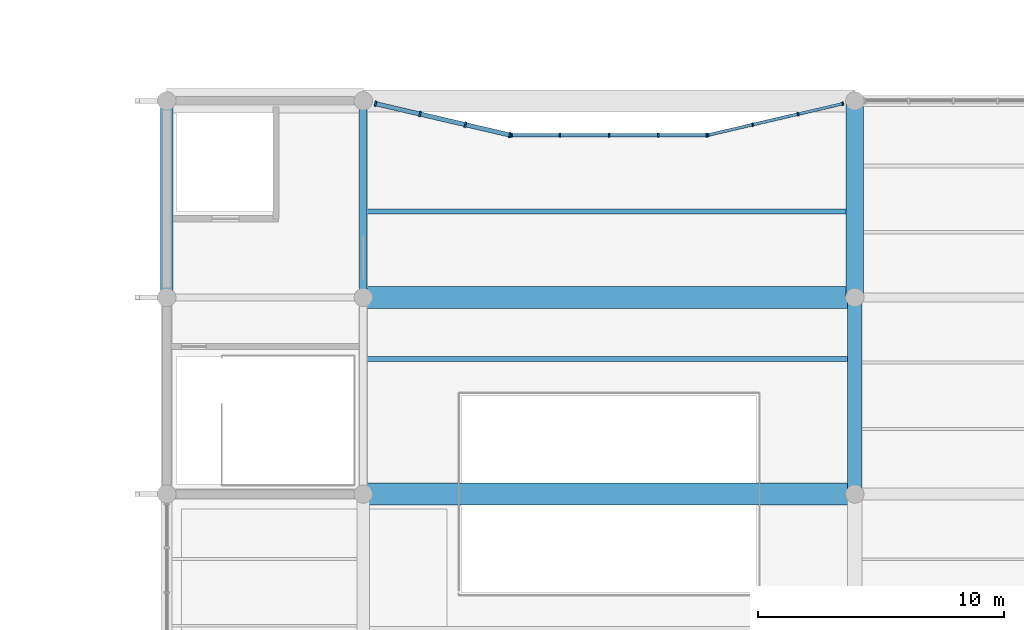
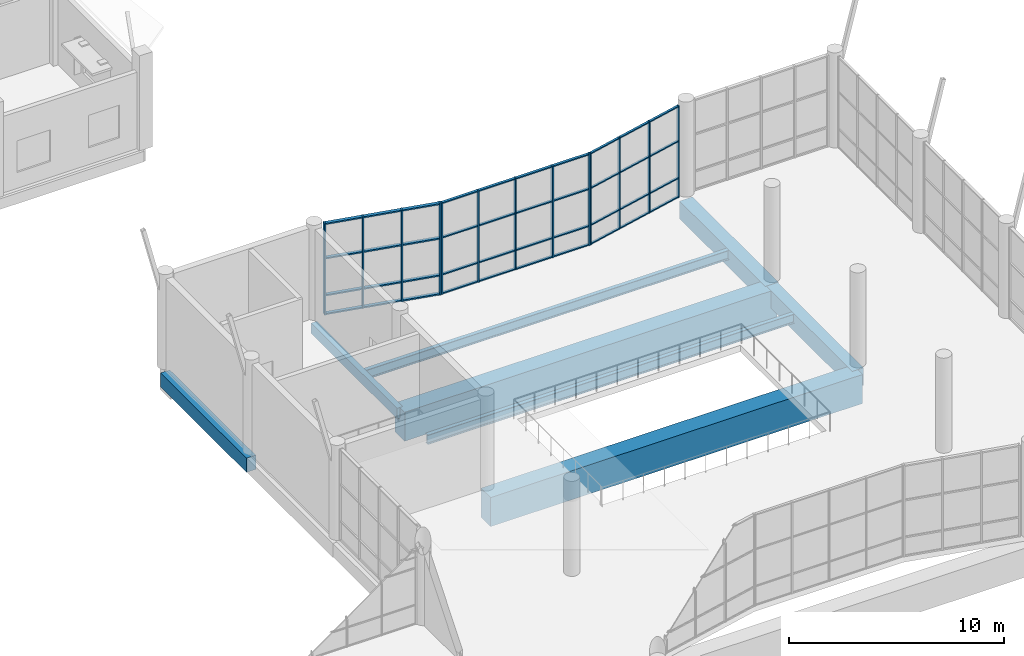
# One storey, part 26 of 122: 53 members, 8 beams, 3 elements without a shape of their own.
"""IFC4 building model written with IfcOpenShell, lengths in metres."""

from ifc_helpers import new_model, si_unit, direction, frame, origin, origin_2d, place, context, subcontext, project, spatial, rectangle, i_section, extrude, material, material_profile, profile_set, type_object, element, aggregate, save


model = new_model("IFC4")

# Units and contexts
model_context = context("Model", 3, precision=1e-05, world=origin(), true_north=direction((0.0, 1.0)))
body_context = subcontext(model_context, "Body", "Model", "MODEL_VIEW")
ifc_project = project(units=[si_unit("LENGTHUNIT", "METRE"), si_unit("AREAUNIT", "SQUARE_METRE"), si_unit("VOLUMEUNIT", "CUBIC_METRE"), si_unit("PLANEANGLEUNIT", "RADIAN"), si_unit("MASSUNIT", "GRAM", prefix="KILO")], contexts=[model_context])

# Site, building, storey
site_placement = place(None, origin())
site = spatial("IfcSite", under=ifc_project, at=site_placement, CompositionType="ELEMENT")
building_placement = place(site_placement, origin())
building = spatial("IfcBuilding", under=site, at=building_placement, Name="Tenunan Teduh Sports Hall", CompositionType="ELEMENT")
storey_placement = place(building_placement, frame((0.0, 0.0, 5.39990234375)))
storey = spatial("IfcBuildingStorey", under=building, at=storey_placement, Name="L01", CompositionType="ELEMENT", Elevation=5.39990234375)

# Beams
ifc_material_1 = material(Name="Concrete C40/50", Category="concrete")
ifc_material_profile_1 = material_profile(ifc_material_1, rectangle(XDim=0.300048828125, YDim=0.60009765625, at=origin_2d()), Name="RCB 300x600")
ifc_profile_set_1 = profile_set([ifc_material_profile_1], Name="Concrete C40/50")
beam_type_1 = type_object("IfcBeamType", Name="BM-RC-300x600", PredefinedType="BEAM", material=ifc_profile_set_1)
beam_1_placement = place(storey_placement, frame((78.0, 62.0, -0.659912109375), z_axis=(0.0, 1.0, 0.0), x_axis=(-1.0, 0.0, 0.0)))
element("IfcBeam", 1, at=beam_1_placement, inside=storey, type_object=beam_type_1, Name="BM-B-03-L01-1242", PredefinedType="BEAM", context=body_context, shape_type="SweptSolid", body=[
    extrude(rectangle(XDim=0.300048828125, YDim=0.60009765625, at=origin_2d()), origin(), (0.0, 0.0, 1.0), 8.0),
])
ifc_material_2 = material(Name="Concrete C40/50", Category="concrete")
ifc_material_profile_2 = material_profile(ifc_material_2, rectangle(XDim=0.5, YDim=0.800048828125, at=origin_2d()), Name="RCB 500x800")
ifc_profile_set_2 = profile_set([ifc_material_profile_2], Name="Concrete C40/50")
beam_type_2 = type_object("IfcBeamType", Name="BM-RC-500x800", PredefinedType="BEAM", material=ifc_profile_set_2)
beam_2_placement = place(storey_placement, frame((70.0, 62.0, -0.760009765625), z_axis=(0.0, 1.0, 0.0), x_axis=(-1.0, 0.0, 0.0)))
element("IfcBeam", 2, at=beam_2_placement, inside=storey, type_object=beam_type_2, Name="BM-B-14-L01-1234", PredefinedType="BEAM", context=body_context, shape_type="SweptSolid", body=[
    extrude(rectangle(XDim=0.5, YDim=0.800048828125, at=origin_2d()), origin(), (0.0, 0.0, 1.0), 8.0),
])
ifc_material_3 = material(Name="Concrete C40/50", Category="concrete")
ifc_material_profile_3 = material_profile(ifc_material_3, rectangle(XDim=0.60009765625, YDim=1.0, at=origin_2d()), Name="RCB 600x1000")
ifc_profile_set_3 = profile_set([ifc_material_profile_3], Name="Concrete C40/50")
beam_type_3 = type_object("IfcBeamType", Name="BM-RC-600x1000", PredefinedType="BEAM", material=ifc_profile_set_3)
beam_3_placement = place(storey_placement, frame((98.0, 54.0, -0.85986328125), z_axis=(0.0, 1.0, 0.0), x_axis=(-1.0, 0.0, 0.0)))
element("IfcBeam", 3, at=beam_3_placement, inside=storey, type_object=beam_type_3, Name="BM-B-18-L01-1248", PredefinedType="BEAM", context=body_context, shape_type="SweptSolid", body=[
    extrude(rectangle(XDim=0.60009765625, YDim=1.0, at=origin_2d()), origin(), (0.0, 0.0, 1.0), 8.0),
])
ifc_material_4 = material(Name="Concrete C40/50", Category="concrete")
ifc_material_profile_4 = material_profile(ifc_material_4, rectangle(XDim=0.699951171875, YDim=1.0, at=origin_2d()), Name="RCB 700x1000")
ifc_profile_set_4 = profile_set([ifc_material_profile_4], Name="Concrete C40/50")
beam_type_4 = type_object("IfcBeamType", Name="BM-RC-700x1000", PredefinedType="SPANDREL", material=ifc_profile_set_4)
beam_4_placement = place(storey_placement, frame((98.0, 62.0, -0.85986328125), z_axis=(0.0, 1.0, 0.0), x_axis=(-1.0, 0.0, 0.0)))
element("IfcBeam", 4, at=beam_4_placement, inside=storey, type_object=beam_type_4, Name="BM-B-19-L01-1249", PredefinedType="SPANDREL", context=body_context, shape_type="SweptSolid", body=[
    extrude(rectangle(XDim=0.699951171875, YDim=1.0, at=origin_2d()), origin(), (0.0, 0.0, 1.0), 8.0),
])

# Curtain wall, members
ifc_material_5 = material(Name="Anodised aluminium", Category="aluminium")
curtain_wall_type = type_object("IfcCurtainWallType", Name="CW-FOYER-1", PredefinedType="NOTDEFINED", material=ifc_material_5)
curtain_wall_1_placement = place(storey_placement, origin())
curtain_wall_1 = element("IfcCurtainWall", 5, at=curtain_wall_1_placement, inside=storey, type_object=curtain_wall_type, Name="CW-CWM-150-L01-171", PredefinedType="NOTDEFINED")
ifc_material_6 = material(Name="Anodised aluminium", Category="aluminium")
ifc_material_profile_5 = material_profile(ifc_material_6, rectangle(XDim=0.06005859375, YDim=0.14990234375, at=origin_2d()), Name="CWM 60x150")
ifc_profile_set_5 = profile_set([ifc_material_profile_5], Name="Anodised aluminium")
member_type_1 = type_object("IfcMemberType", Name="CWM-150", PredefinedType="MULLION", material=ifc_profile_set_5)
member_1_placement = place(storey_placement, frame((92.029296875, 68.60693359375, 0.0), z_axis=(0.0, 0.0, 1.0), x_axis=(0.973842091381, 0.227225837122, 0.0)))
member_1 = element("IfcMember", 6, at=member_1_placement, type_object=member_type_1, Name="CW-04 mullion 1", PredefinedType="MULLION", context=body_context, shape_type="SweptSolid", body=[
    extrude(rectangle(XDim=0.06005859375, YDim=0.14990234375, at=origin_2d()), origin(), (0.0, 0.0, 1.0), 5.2001953125),
])
member_2_placement = place(storey_placement, frame((93.846435546875, 69.03076171875, 0.0), z_axis=(0.0, 0.0, 1.0), x_axis=(0.973842091381, 0.227225837122, 0.0)))
member_2 = element("IfcMember", 7, at=member_2_placement, type_object=member_type_1, Name="CW-04 mullion 2", PredefinedType="MULLION", context=body_context, shape_type="SweptSolid", body=[
    extrude(rectangle(XDim=0.06005859375, YDim=0.14990234375, at=origin_2d()), origin(), (0.0, 0.0, 1.0), 5.2001953125),
])
member_3_placement = place(storey_placement, frame((95.69287109375, 69.461669921875, 0.0), z_axis=(0.0, 0.0, 1.0), x_axis=(0.973842091381, 0.227225837122, 0.0)))
member_3 = element("IfcMember", 8, at=member_3_placement, type_object=member_type_1, Name="CW-04 mullion 3", PredefinedType="MULLION", context=body_context, shape_type="SweptSolid", body=[
    extrude(rectangle(XDim=0.06005859375, YDim=0.14990234375, at=origin_2d()), origin(), (0.0, 0.0, 1.0), 5.2001953125),
])
member_4_placement = place(storey_placement, frame((97.51025390625, 69.8857421875, 0.0), z_axis=(0.0, 0.0, 1.0), x_axis=(0.973842091381, 0.227225837122, 0.0)))
member_4 = element("IfcMember", 9, at=member_4_placement, type_object=member_type_1, Name="CW-04 mullion 4", PredefinedType="MULLION", context=body_context, shape_type="SweptSolid", body=[
    extrude(rectangle(XDim=0.06005859375, YDim=0.14990234375, at=origin_2d()), origin(), (0.0, 0.0, 1.0), 5.2001953125),
])

curtain_wall_2_placement = place(storey_placement, origin())
curtain_wall_2 = element("IfcCurtainWall", 10, at=curtain_wall_2_placement, inside=storey, type_object=curtain_wall_type, Name="CW-CWM-175-L01-170", PredefinedType="NOTDEFINED")
ifc_material_7 = material(Name="Anodised aluminium", Category="aluminium")
ifc_material_profile_6 = material_profile(ifc_material_7, rectangle(XDim=0.06494140625, YDim=0.175048828125, at=origin_2d()), Name="CWM 65x175")
ifc_profile_set_6 = profile_set([ifc_material_profile_6], Name="Anodised aluminium")
member_type_2 = type_object("IfcMemberType", Name="CWM-175", PredefinedType="MULLION", material=ifc_profile_set_6)
member_5_placement = place(storey_placement, frame((84.032470703125, 68.60009765625, 0.0), z_axis=(0.0, 0.0, 1.0), x_axis=(1.0, 0.0, 0.0)))
member_5 = element("IfcMember", 11, at=member_5_placement, type_object=member_type_2, Name="CW-04 mullion 1", PredefinedType="MULLION", context=body_context, shape_type="SweptSolid", body=[
    extrude(rectangle(XDim=0.06494140625, YDim=0.175048828125, at=origin_2d()), origin(), (0.0, 0.0, 1.0), 5.2001953125),
])
member_6_placement = place(storey_placement, frame((86.0, 68.60009765625, 0.0), z_axis=(0.0, 0.0, 1.0), x_axis=(1.0, 0.0, 0.0)))
member_6 = element("IfcMember", 12, at=member_6_placement, type_object=member_type_2, Name="CW-04 mullion 2", PredefinedType="MULLION", context=body_context, shape_type="SweptSolid", body=[
    extrude(rectangle(XDim=0.06494140625, YDim=0.175048828125, at=origin_2d()), origin(), (0.0, 0.0, 1.0), 5.2001953125),
])
member_7_placement = place(storey_placement, frame((88.0, 68.60009765625, 0.0), z_axis=(0.0, 0.0, 1.0), x_axis=(1.0, 0.0, 0.0)))
member_7 = element("IfcMember", 13, at=member_7_placement, type_object=member_type_2, Name="CW-04 mullion 3", PredefinedType="MULLION", context=body_context, shape_type="SweptSolid", body=[
    extrude(rectangle(XDim=0.06494140625, YDim=0.175048828125, at=origin_2d()), origin(), (0.0, 0.0, 1.0), 5.2001953125),
])
member_8_placement = place(storey_placement, frame((90.0, 68.60009765625, 0.0), z_axis=(0.0, 0.0, 1.0), x_axis=(1.0, 0.0, 0.0)))
member_8 = element("IfcMember", 14, at=member_8_placement, type_object=member_type_2, Name="CW-04 mullion 4", PredefinedType="MULLION", context=body_context, shape_type="SweptSolid", body=[
    extrude(rectangle(XDim=0.06494140625, YDim=0.175048828125, at=origin_2d()), origin(), (0.0, 0.0, 1.0), 5.2001953125),
])
member_9_placement = place(storey_placement, frame((91.967529296875, 68.60009765625, 0.0), z_axis=(0.0, 0.0, 1.0), x_axis=(1.0, 0.0, 0.0)))
member_9 = element("IfcMember", 15, at=member_9_placement, type_object=member_type_2, Name="CW-04 mullion 5", PredefinedType="MULLION", context=body_context, shape_type="SweptSolid", body=[
    extrude(rectangle(XDim=0.06494140625, YDim=0.175048828125, at=origin_2d()), origin(), (0.0, 0.0, 1.0), 5.2001953125),
])

curtain_wall_3_placement = place(storey_placement, origin())
curtain_wall_3 = element("IfcCurtainWall", 16, at=curtain_wall_3_placement, inside=storey, type_object=curtain_wall_type, Name="CW-CWM-220-L01-169", PredefinedType="NOTDEFINED")
ifc_material_8 = material(Name="Anodised aluminium", Category="aluminium")
ifc_material_profile_7 = material_profile(ifc_material_8, rectangle(XDim=0.074951171875, YDim=0.219970703125, at=origin_2d()), Name="CWM 75x220")
ifc_profile_set_7 = profile_set([ifc_material_profile_7], Name="Anodised aluminium")
member_type_3 = type_object("IfcMemberType", Name="CWM-220", PredefinedType="MULLION", material=ifc_profile_set_7)
member_10_placement = place(storey_placement, frame((78.4970703125, 69.884033203125, 0.0), z_axis=(0.0, 0.0, 1.0), x_axis=(-0.973842091381, 0.227225837122, 0.0)))
member_10 = element("IfcMember", 17, at=member_10_placement, type_object=member_type_3, Name="CW-04 mullion 1", PredefinedType="MULLION", context=body_context, shape_type="SweptSolid", body=[
    extrude(rectangle(XDim=0.074951171875, YDim=0.219970703125, at=origin_2d()), origin(), (0.0, 0.0, 1.0), 5.2001953125),
])
member_11_placement = place(storey_placement, frame((80.30712890625, 69.461669921875, 0.0), z_axis=(0.0, 0.0, 1.0), x_axis=(-0.973842091381, 0.227225837122, 0.0)))
member_11 = element("IfcMember", 18, at=member_11_placement, type_object=member_type_3, Name="CW-04 mullion 2", PredefinedType="MULLION", context=body_context, shape_type="SweptSolid", body=[
    extrude(rectangle(XDim=0.074951171875, YDim=0.219970703125, at=origin_2d()), origin(), (0.0, 0.0, 1.0), 5.2001953125),
])
member_12_placement = place(storey_placement, frame((82.153564453125, 69.03076171875, 0.0), z_axis=(0.0, 0.0, 1.0), x_axis=(-0.973842091381, 0.227225837122, 0.0)))
member_12 = element("IfcMember", 19, at=member_12_placement, type_object=member_type_3, Name="CW-04 mullion 3", PredefinedType="MULLION", context=body_context, shape_type="SweptSolid", body=[
    extrude(rectangle(XDim=0.074951171875, YDim=0.219970703125, at=origin_2d()), origin(), (0.0, 0.0, 1.0), 5.2001953125),
])
member_13_placement = place(storey_placement, frame((83.96337890625, 68.608642578125, 0.0), z_axis=(0.0, 0.0, 1.0), x_axis=(-0.973842091381, 0.227225837122, 0.0)))
member_13 = element("IfcMember", 20, at=member_13_placement, type_object=member_type_3, Name="CW-04 mullion 4", PredefinedType="MULLION", context=body_context, shape_type="SweptSolid", body=[
    extrude(rectangle(XDim=0.074951171875, YDim=0.219970703125, at=origin_2d()), origin(), (0.0, 0.0, 1.0), 5.2001953125),
])

# Member
ifc_material_9 = material(Name="Anodised aluminium", Category="aluminium")
ifc_material_profile_8 = material_profile(ifc_material_9, rectangle(XDim=0.06005859375, YDim=0.1201171875, at=origin_2d()), Name="CWT 60x120")
ifc_profile_set_8 = profile_set([ifc_material_profile_8], Name="Anodised aluminium")
member_type_4 = type_object("IfcMemberType", Name="CWT-125", PredefinedType="USERDEFINED", material=ifc_profile_set_8)
member_14_placement = place(storey_placement, frame((92.058349609375, 68.613525390625, 0.030029296875), z_axis=(0.973839215474, 0.2272381623, 0.0), x_axis=(0.0, 0.0, 1.0)))
member_14 = element("IfcMember", 21, at=member_14_placement, type_object=member_type_4, Name="CW-04 transom 1.1", ObjectType="TRANSOM", PredefinedType="USERDEFINED", context=body_context, shape_type="SweptSolid", body=[
    extrude(rectangle(XDim=0.06005859375, YDim=0.1201171875, at=origin_2d()), origin(), (0.0, 0.0, 1.0), 1.80615234375),
])

member_15_placement = place(storey_placement, frame((92.058349609375, 68.613525390625, 1.10009765625), z_axis=(0.973839215474, 0.2272381623, 0.0), x_axis=(0.0, 0.0, 1.0)))
member_15 = element("IfcMember", 22, at=member_15_placement, type_object=member_type_4, Name="CW-04 transom 1.2", ObjectType="TRANSOM", PredefinedType="USERDEFINED", context=body_context, shape_type="SweptSolid", body=[
    extrude(rectangle(XDim=0.06005859375, YDim=0.1201171875, at=origin_2d()), origin(), (0.0, 0.0, 1.0), 1.80615234375),
])

member_16_placement = place(storey_placement, frame((92.058349609375, 68.613525390625, 3.2001953125), z_axis=(0.973839215474, 0.2272381623, 0.0), x_axis=(0.0, 0.0, 1.0)))
member_16 = element("IfcMember", 23, at=member_16_placement, type_object=member_type_4, Name="CW-04 transom 1.3", ObjectType="TRANSOM", PredefinedType="USERDEFINED", context=body_context, shape_type="SweptSolid", body=[
    extrude(rectangle(XDim=0.06005859375, YDim=0.1201171875, at=origin_2d()), origin(), (0.0, 0.0, 1.0), 1.80615234375),
])

member_17_placement = place(storey_placement, frame((92.058349609375, 68.613525390625, 5.170166015625), z_axis=(0.973839215474, 0.2272381623, 0.0), x_axis=(0.0, 0.0, 1.0)))
member_17 = element("IfcMember", 24, at=member_17_placement, type_object=member_type_4, Name="CW-04 transom 1.4", ObjectType="TRANSOM", PredefinedType="USERDEFINED", context=body_context, shape_type="SweptSolid", body=[
    extrude(rectangle(XDim=0.06005859375, YDim=0.1201171875, at=origin_2d()), origin(), (0.0, 0.0, 1.0), 1.80615234375),
])

member_18_placement = place(storey_placement, frame((93.875732421875, 69.03759765625, 0.030029296875), z_axis=(0.973839248149, 0.227238022267, 0.0), x_axis=(0.0, 0.0, 1.0)))
member_18 = element("IfcMember", 25, at=member_18_placement, type_object=member_type_4, Name="CW-04 transom 2.1", ObjectType="TRANSOM", PredefinedType="USERDEFINED", context=body_context, shape_type="SweptSolid", body=[
    extrude(rectangle(XDim=0.06005859375, YDim=0.1201171875, at=origin_2d()), origin(), (0.0, 0.0, 1.0), 1.836181640625),
])

member_19_placement = place(storey_placement, frame((93.875732421875, 69.03759765625, 1.10009765625), z_axis=(0.973839248149, 0.227238022267, 0.0), x_axis=(0.0, 0.0, 1.0)))
member_19 = element("IfcMember", 26, at=member_19_placement, type_object=member_type_4, Name="CW-04 transom 2.2", ObjectType="TRANSOM", PredefinedType="USERDEFINED", context=body_context, shape_type="SweptSolid", body=[
    extrude(rectangle(XDim=0.06005859375, YDim=0.1201171875, at=origin_2d()), origin(), (0.0, 0.0, 1.0), 1.836181640625),
])

member_20_placement = place(storey_placement, frame((93.875732421875, 69.03759765625, 3.2001953125), z_axis=(0.973839248149, 0.227238022267, 0.0), x_axis=(0.0, 0.0, 1.0)))
member_20 = element("IfcMember", 27, at=member_20_placement, type_object=member_type_4, Name="CW-04 transom 2.3", ObjectType="TRANSOM", PredefinedType="USERDEFINED", context=body_context, shape_type="SweptSolid", body=[
    extrude(rectangle(XDim=0.06005859375, YDim=0.1201171875, at=origin_2d()), origin(), (0.0, 0.0, 1.0), 1.836181640625),
])

member_21_placement = place(storey_placement, frame((93.875732421875, 69.03759765625, 5.170166015625), z_axis=(0.973839248149, 0.227238022267, 0.0), x_axis=(0.0, 0.0, 1.0)))
member_21 = element("IfcMember", 28, at=member_21_placement, type_object=member_type_4, Name="CW-04 transom 2.4", ObjectType="TRANSOM", PredefinedType="USERDEFINED", context=body_context, shape_type="SweptSolid", body=[
    extrude(rectangle(XDim=0.06005859375, YDim=0.1201171875, at=origin_2d()), origin(), (0.0, 0.0, 1.0), 1.836181640625),
])

member_22_placement = place(storey_placement, frame((95.72216796875, 69.468505859375, 0.030029296875), z_axis=(0.973839215474, 0.2272381623, 0.0), x_axis=(0.0, 0.0, 1.0)))
member_22 = element("IfcMember", 29, at=member_22_placement, type_object=member_type_4, Name="CW-04 transom 3.1", ObjectType="TRANSOM", PredefinedType="USERDEFINED", context=body_context, shape_type="SweptSolid", body=[
    extrude(rectangle(XDim=0.06005859375, YDim=0.1201171875, at=origin_2d()), origin(), (0.0, 0.0, 1.0), 1.80615234375),
])

member_23_placement = place(storey_placement, frame((95.72216796875, 69.468505859375, 1.10009765625), z_axis=(0.973839215474, 0.2272381623, 0.0), x_axis=(0.0, 0.0, 1.0)))
member_23 = element("IfcMember", 30, at=member_23_placement, type_object=member_type_4, Name="CW-04 transom 3.2", ObjectType="TRANSOM", PredefinedType="USERDEFINED", context=body_context, shape_type="SweptSolid", body=[
    extrude(rectangle(XDim=0.06005859375, YDim=0.1201171875, at=origin_2d()), origin(), (0.0, 0.0, 1.0), 1.80615234375),
])

member_24_placement = place(storey_placement, frame((95.72216796875, 69.468505859375, 3.2001953125), z_axis=(0.973839215474, 0.2272381623, 0.0), x_axis=(0.0, 0.0, 1.0)))
member_24 = element("IfcMember", 31, at=member_24_placement, type_object=member_type_4, Name="CW-04 transom 3.3", ObjectType="TRANSOM", PredefinedType="USERDEFINED", context=body_context, shape_type="SweptSolid", body=[
    extrude(rectangle(XDim=0.06005859375, YDim=0.1201171875, at=origin_2d()), origin(), (0.0, 0.0, 1.0), 1.80615234375),
])

member_25_placement = place(storey_placement, frame((95.72216796875, 69.468505859375, 5.170166015625), z_axis=(0.973839215474, 0.2272381623, 0.0), x_axis=(0.0, 0.0, 1.0)))
member_25 = element("IfcMember", 32, at=member_25_placement, type_object=member_type_4, Name="CW-04 transom 3.4", ObjectType="TRANSOM", PredefinedType="USERDEFINED", context=body_context, shape_type="SweptSolid", body=[
    extrude(rectangle(XDim=0.06005859375, YDim=0.1201171875, at=origin_2d()), origin(), (0.0, 0.0, 1.0), 1.80615234375),
])

aggregate(curtain_wall_1, [member_1, member_2, member_3, member_4, member_14, member_15, member_16, member_17, member_18, member_19, member_20, member_21, member_22, member_23, member_24, member_25])

ifc_material_10 = material(Name="Anodised aluminium", Category="aluminium")
ifc_material_profile_9 = material_profile(ifc_material_10, rectangle(XDim=0.06494140625, YDim=0.139892578125, at=origin_2d()), Name="CWT 65x140")
ifc_profile_set_9 = profile_set([ifc_material_profile_9], Name="Anodised aluminium")
member_type_5 = type_object("IfcMemberType", Name="CWT-150", PredefinedType="USERDEFINED", material=ifc_profile_set_9)
member_26_placement = place(storey_placement, frame((84.06494140625, 68.60009765625, 0.03271484375), z_axis=(1.0, 0.0, 0.0), x_axis=(0.0, 0.0, 1.0)))
member_26 = element("IfcMember", 33, at=member_26_placement, type_object=member_type_5, Name="CW-04 transom 1.1", ObjectType="TRANSOM", PredefinedType="USERDEFINED", context=body_context, shape_type="SweptSolid", body=[
    extrude(rectangle(XDim=0.06494140625, YDim=0.139892578125, at=origin_2d()), origin(), (0.0, 0.0, 1.0), 1.902587890625),
])

member_27_placement = place(storey_placement, frame((84.06494140625, 68.60009765625, 1.10009765625), z_axis=(1.0, 0.0, 0.0), x_axis=(0.0, 0.0, 1.0)))
member_27 = element("IfcMember", 34, at=member_27_placement, type_object=member_type_5, Name="CW-04 transom 1.2", ObjectType="TRANSOM", PredefinedType="USERDEFINED", context=body_context, shape_type="SweptSolid", body=[
    extrude(rectangle(XDim=0.06494140625, YDim=0.139892578125, at=origin_2d()), origin(), (0.0, 0.0, 1.0), 1.902587890625),
])

member_28_placement = place(storey_placement, frame((84.06494140625, 68.60009765625, 3.2001953125), z_axis=(1.0, 0.0, 0.0), x_axis=(0.0, 0.0, 1.0)))
member_28 = element("IfcMember", 35, at=member_28_placement, type_object=member_type_5, Name="CW-04 transom 1.3", ObjectType="TRANSOM", PredefinedType="USERDEFINED", context=body_context, shape_type="SweptSolid", body=[
    extrude(rectangle(XDim=0.06494140625, YDim=0.139892578125, at=origin_2d()), origin(), (0.0, 0.0, 1.0), 1.902587890625),
])

member_29_placement = place(storey_placement, frame((84.06494140625, 68.60009765625, 5.16748046875), z_axis=(1.0, 0.0, 0.0), x_axis=(0.0, 0.0, 1.0)))
member_29 = element("IfcMember", 36, at=member_29_placement, type_object=member_type_5, Name="CW-04 transom 1.4", ObjectType="TRANSOM", PredefinedType="USERDEFINED", context=body_context, shape_type="SweptSolid", body=[
    extrude(rectangle(XDim=0.06494140625, YDim=0.139892578125, at=origin_2d()), origin(), (0.0, 0.0, 1.0), 1.902587890625),
])

member_30_placement = place(storey_placement, frame((86.032470703125, 68.60009765625, 0.03271484375), z_axis=(1.0, 0.0, 0.0), x_axis=(0.0, 0.0, 1.0)))
member_30 = element("IfcMember", 37, at=member_30_placement, type_object=member_type_5, Name="CW-04 transom 2.1", ObjectType="TRANSOM", PredefinedType="USERDEFINED", context=body_context, shape_type="SweptSolid", body=[
    extrude(rectangle(XDim=0.06494140625, YDim=0.139892578125, at=origin_2d()), origin(), (0.0, 0.0, 1.0), 1.93505859375),
])

member_31_placement = place(storey_placement, frame((86.032470703125, 68.60009765625, 1.10009765625), z_axis=(1.0, 0.0, 0.0), x_axis=(0.0, 0.0, 1.0)))
member_31 = element("IfcMember", 38, at=member_31_placement, type_object=member_type_5, Name="CW-04 transom 2.2", ObjectType="TRANSOM", PredefinedType="USERDEFINED", context=body_context, shape_type="SweptSolid", body=[
    extrude(rectangle(XDim=0.06494140625, YDim=0.139892578125, at=origin_2d()), origin(), (0.0, 0.0, 1.0), 1.93505859375),
])

member_32_placement = place(storey_placement, frame((86.032470703125, 68.60009765625, 3.2001953125), z_axis=(1.0, 0.0, 0.0), x_axis=(0.0, 0.0, 1.0)))
member_32 = element("IfcMember", 39, at=member_32_placement, type_object=member_type_5, Name="CW-04 transom 2.3", ObjectType="TRANSOM", PredefinedType="USERDEFINED", context=body_context, shape_type="SweptSolid", body=[
    extrude(rectangle(XDim=0.06494140625, YDim=0.139892578125, at=origin_2d()), origin(), (0.0, 0.0, 1.0), 1.93505859375),
])

member_33_placement = place(storey_placement, frame((86.032470703125, 68.60009765625, 5.16748046875), z_axis=(1.0, 0.0, 0.0), x_axis=(0.0, 0.0, 1.0)))
member_33 = element("IfcMember", 40, at=member_33_placement, type_object=member_type_5, Name="CW-04 transom 2.4", ObjectType="TRANSOM", PredefinedType="USERDEFINED", context=body_context, shape_type="SweptSolid", body=[
    extrude(rectangle(XDim=0.06494140625, YDim=0.139892578125, at=origin_2d()), origin(), (0.0, 0.0, 1.0), 1.93505859375),
])

member_34_placement = place(storey_placement, frame((88.032470703125, 68.60009765625, 0.03271484375), z_axis=(1.0, 0.0, 0.0), x_axis=(0.0, 0.0, 1.0)))
member_34 = element("IfcMember", 41, at=member_34_placement, type_object=member_type_5, Name="CW-04 transom 3.1", ObjectType="TRANSOM", PredefinedType="USERDEFINED", context=body_context, shape_type="SweptSolid", body=[
    extrude(rectangle(XDim=0.06494140625, YDim=0.139892578125, at=origin_2d()), origin(), (0.0, 0.0, 1.0), 1.93505859375),
])

member_35_placement = place(storey_placement, frame((88.032470703125, 68.60009765625, 1.10009765625), z_axis=(1.0, 0.0, 0.0), x_axis=(0.0, 0.0, 1.0)))
member_35 = element("IfcMember", 42, at=member_35_placement, type_object=member_type_5, Name="CW-04 transom 3.2", ObjectType="TRANSOM", PredefinedType="USERDEFINED", context=body_context, shape_type="SweptSolid", body=[
    extrude(rectangle(XDim=0.06494140625, YDim=0.139892578125, at=origin_2d()), origin(), (0.0, 0.0, 1.0), 1.93505859375),
])

member_36_placement = place(storey_placement, frame((88.032470703125, 68.60009765625, 3.2001953125), z_axis=(1.0, 0.0, 0.0), x_axis=(0.0, 0.0, 1.0)))
member_36 = element("IfcMember", 43, at=member_36_placement, type_object=member_type_5, Name="CW-04 transom 3.3", ObjectType="TRANSOM", PredefinedType="USERDEFINED", context=body_context, shape_type="SweptSolid", body=[
    extrude(rectangle(XDim=0.06494140625, YDim=0.139892578125, at=origin_2d()), origin(), (0.0, 0.0, 1.0), 1.93505859375),
])

member_37_placement = place(storey_placement, frame((88.032470703125, 68.60009765625, 5.16748046875), z_axis=(1.0, 0.0, 0.0), x_axis=(0.0, 0.0, 1.0)))
member_37 = element("IfcMember", 44, at=member_37_placement, type_object=member_type_5, Name="CW-04 transom 3.4", ObjectType="TRANSOM", PredefinedType="USERDEFINED", context=body_context, shape_type="SweptSolid", body=[
    extrude(rectangle(XDim=0.06494140625, YDim=0.139892578125, at=origin_2d()), origin(), (0.0, 0.0, 1.0), 1.93505859375),
])

member_38_placement = place(storey_placement, frame((90.032470703125, 68.60009765625, 0.03271484375), z_axis=(1.0, 0.0, 0.0), x_axis=(0.0, 0.0, 1.0)))
member_38 = element("IfcMember", 45, at=member_38_placement, type_object=member_type_5, Name="CW-04 transom 4.1", ObjectType="TRANSOM", PredefinedType="USERDEFINED", context=body_context, shape_type="SweptSolid", body=[
    extrude(rectangle(XDim=0.06494140625, YDim=0.139892578125, at=origin_2d()), origin(), (0.0, 0.0, 1.0), 1.902587890625),
])

member_39_placement = place(storey_placement, frame((90.032470703125, 68.60009765625, 1.10009765625), z_axis=(1.0, 0.0, 0.0), x_axis=(0.0, 0.0, 1.0)))
member_39 = element("IfcMember", 46, at=member_39_placement, type_object=member_type_5, Name="CW-04 transom 4.2", ObjectType="TRANSOM", PredefinedType="USERDEFINED", context=body_context, shape_type="SweptSolid", body=[
    extrude(rectangle(XDim=0.06494140625, YDim=0.139892578125, at=origin_2d()), origin(), (0.0, 0.0, 1.0), 1.902587890625),
])

member_40_placement = place(storey_placement, frame((90.032470703125, 68.60009765625, 3.2001953125), z_axis=(1.0, 0.0, 0.0), x_axis=(0.0, 0.0, 1.0)))
member_40 = element("IfcMember", 47, at=member_40_placement, type_object=member_type_5, Name="CW-04 transom 4.3", ObjectType="TRANSOM", PredefinedType="USERDEFINED", context=body_context, shape_type="SweptSolid", body=[
    extrude(rectangle(XDim=0.06494140625, YDim=0.139892578125, at=origin_2d()), origin(), (0.0, 0.0, 1.0), 1.902587890625),
])

member_41_placement = place(storey_placement, frame((90.032470703125, 68.60009765625, 5.16748046875), z_axis=(1.0, 0.0, 0.0), x_axis=(0.0, 0.0, 1.0)))
member_41 = element("IfcMember", 48, at=member_41_placement, type_object=member_type_5, Name="CW-04 transom 4.4", ObjectType="TRANSOM", PredefinedType="USERDEFINED", context=body_context, shape_type="SweptSolid", body=[
    extrude(rectangle(XDim=0.06494140625, YDim=0.139892578125, at=origin_2d()), origin(), (0.0, 0.0, 1.0), 1.902587890625),
])

aggregate(curtain_wall_2, [member_5, member_6, member_7, member_8, member_9, member_26, member_27, member_28, member_29, member_30, member_31, member_32, member_33, member_34, member_35, member_36, member_37, member_38, member_39, member_40, member_41])

ifc_material_11 = material(Name="Anodised aluminium", Category="aluminium")
ifc_material_profile_10 = material_profile(ifc_material_11, rectangle(XDim=0.074951171875, YDim=0.179931640625, at=origin_2d()), Name="CWT 75x180")
ifc_profile_set_10 = profile_set([ifc_material_profile_10], Name="Anodised aluminium")
member_type_6 = type_object("IfcMemberType", Name="CWT-180", PredefinedType="USERDEFINED", material=ifc_profile_set_10)
member_42_placement = place(storey_placement, frame((78.53369140625, 69.87548828125, 0.03759765625), z_axis=(0.973839190244, -0.227238270425, 0.0), x_axis=(0.0, 0.0, 1.0)))
member_42 = element("IfcMember", 49, at=member_42_placement, type_object=member_type_6, Name="CW-04 transom 1.1", ObjectType="TRANSOM", PredefinedType="USERDEFINED", context=body_context, shape_type="SweptSolid", body=[
    extrude(rectangle(XDim=0.074951171875, YDim=0.179931640625, at=origin_2d()), origin(), (0.0, 0.0, 1.0), 1.783447265625),
])

member_43_placement = place(storey_placement, frame((78.53369140625, 69.87548828125, 1.10009765625), z_axis=(0.973839190244, -0.227238270425, 0.0), x_axis=(0.0, 0.0, 1.0)))
member_43 = element("IfcMember", 50, at=member_43_placement, type_object=member_type_6, Name="CW-04 transom 1.2", ObjectType="TRANSOM", PredefinedType="USERDEFINED", context=body_context, shape_type="SweptSolid", body=[
    extrude(rectangle(XDim=0.074951171875, YDim=0.179931640625, at=origin_2d()), origin(), (0.0, 0.0, 1.0), 1.783447265625),
])

member_44_placement = place(storey_placement, frame((78.53369140625, 69.87548828125, 3.2001953125), z_axis=(0.973839190244, -0.227238270425, 0.0), x_axis=(0.0, 0.0, 1.0)))
member_44 = element("IfcMember", 51, at=member_44_placement, type_object=member_type_6, Name="CW-04 transom 1.3", ObjectType="TRANSOM", PredefinedType="USERDEFINED", context=body_context, shape_type="SweptSolid", body=[
    extrude(rectangle(XDim=0.074951171875, YDim=0.179931640625, at=origin_2d()), origin(), (0.0, 0.0, 1.0), 1.783447265625),
])

member_45_placement = place(storey_placement, frame((78.53369140625, 69.87548828125, 5.16259765625), z_axis=(0.973839190244, -0.227238270425, 0.0), x_axis=(0.0, 0.0, 1.0)))
member_45 = element("IfcMember", 52, at=member_45_placement, type_object=member_type_6, Name="CW-04 transom 1.4", ObjectType="TRANSOM", PredefinedType="USERDEFINED", context=body_context, shape_type="SweptSolid", body=[
    extrude(rectangle(XDim=0.074951171875, YDim=0.179931640625, at=origin_2d()), origin(), (0.0, 0.0, 1.0), 1.783447265625),
])

member_46_placement = place(storey_placement, frame((80.343505859375, 69.453125, 0.03759765625), z_axis=(0.973839231946, -0.227238091706, 0.0), x_axis=(0.0, 0.0, 1.0)))
member_46 = element("IfcMember", 53, at=member_46_placement, type_object=member_type_6, Name="CW-04 transom 2.1", ObjectType="TRANSOM", PredefinedType="USERDEFINED", context=body_context, shape_type="SweptSolid", body=[
    extrude(rectangle(XDim=0.074951171875, YDim=0.179931640625, at=origin_2d()), origin(), (0.0, 0.0, 1.0), 1.821044921875),
])

member_47_placement = place(storey_placement, frame((80.343505859375, 69.453125, 1.10009765625), z_axis=(0.973839231946, -0.227238091706, 0.0), x_axis=(0.0, 0.0, 1.0)))
member_47 = element("IfcMember", 54, at=member_47_placement, type_object=member_type_6, Name="CW-04 transom 2.2", ObjectType="TRANSOM", PredefinedType="USERDEFINED", context=body_context, shape_type="SweptSolid", body=[
    extrude(rectangle(XDim=0.074951171875, YDim=0.179931640625, at=origin_2d()), origin(), (0.0, 0.0, 1.0), 1.821044921875),
])

member_48_placement = place(storey_placement, frame((80.343505859375, 69.453125, 3.2001953125), z_axis=(0.973839231946, -0.227238091706, 0.0), x_axis=(0.0, 0.0, 1.0)))
member_48 = element("IfcMember", 55, at=member_48_placement, type_object=member_type_6, Name="CW-04 transom 2.3", ObjectType="TRANSOM", PredefinedType="USERDEFINED", context=body_context, shape_type="SweptSolid", body=[
    extrude(rectangle(XDim=0.074951171875, YDim=0.179931640625, at=origin_2d()), origin(), (0.0, 0.0, 1.0), 1.821044921875),
])

member_49_placement = place(storey_placement, frame((80.343505859375, 69.453125, 5.16259765625), z_axis=(0.973839231946, -0.227238091706, 0.0), x_axis=(0.0, 0.0, 1.0)))
member_49 = element("IfcMember", 56, at=member_49_placement, type_object=member_type_6, Name="CW-04 transom 2.4", ObjectType="TRANSOM", PredefinedType="USERDEFINED", context=body_context, shape_type="SweptSolid", body=[
    extrude(rectangle(XDim=0.074951171875, YDim=0.179931640625, at=origin_2d()), origin(), (0.0, 0.0, 1.0), 1.821044921875),
])

member_50_placement = place(storey_placement, frame((82.18994140625, 69.022216796875, 0.03759765625), z_axis=(0.973846257478, -0.227207981365, 0.0), x_axis=(0.0, 0.0, 1.0)))
member_50 = element("IfcMember", 57, at=member_50_placement, type_object=member_type_6, Name="CW-04 transom 3.1", ObjectType="TRANSOM", PredefinedType="USERDEFINED", context=body_context, shape_type="SweptSolid", body=[
    extrude(rectangle(XDim=0.074951171875, YDim=0.179931640625, at=origin_2d()), origin(), (0.0, 0.0, 1.0), 1.78369140625),
])

member_51_placement = place(storey_placement, frame((82.18994140625, 69.022216796875, 1.10009765625), z_axis=(0.973846257478, -0.227207981365, 0.0), x_axis=(0.0, 0.0, 1.0)))
member_51 = element("IfcMember", 58, at=member_51_placement, type_object=member_type_6, Name="CW-04 transom 3.2", ObjectType="TRANSOM", PredefinedType="USERDEFINED", context=body_context, shape_type="SweptSolid", body=[
    extrude(rectangle(XDim=0.074951171875, YDim=0.179931640625, at=origin_2d()), origin(), (0.0, 0.0, 1.0), 1.78369140625),
])

member_52_placement = place(storey_placement, frame((82.18994140625, 69.022216796875, 3.2001953125), z_axis=(0.973846257478, -0.227207981365, 0.0), x_axis=(0.0, 0.0, 1.0)))
member_52 = element("IfcMember", 59, at=member_52_placement, type_object=member_type_6, Name="CW-04 transom 3.3", ObjectType="TRANSOM", PredefinedType="USERDEFINED", context=body_context, shape_type="SweptSolid", body=[
    extrude(rectangle(XDim=0.074951171875, YDim=0.179931640625, at=origin_2d()), origin(), (0.0, 0.0, 1.0), 1.78369140625),
])

member_53_placement = place(storey_placement, frame((82.18994140625, 69.022216796875, 5.16259765625), z_axis=(0.973846257478, -0.227207981365, 0.0), x_axis=(0.0, 0.0, 1.0)))
member_53 = element("IfcMember", 60, at=member_53_placement, type_object=member_type_6, Name="CW-04 transom 3.4", ObjectType="TRANSOM", PredefinedType="USERDEFINED", context=body_context, shape_type="SweptSolid", body=[
    extrude(rectangle(XDim=0.074951171875, YDim=0.179931640625, at=origin_2d()), origin(), (0.0, 0.0, 1.0), 1.78369140625),
])

aggregate(curtain_wall_3, [member_10, member_11, member_12, member_13, member_42, member_43, member_44, member_45, member_46, member_47, member_48, member_49, member_50, member_51, member_52, member_53])

# Beams
ifc_material_12 = material(Name="Post-tensioned concrete C50/60", Category="concrete")
ifc_material_profile_11 = material_profile(ifc_material_12, rectangle(XDim=0.89990234375, YDim=1.64990234375, at=origin_2d()), Name="PTG 900x1650")
ifc_profile_set_11 = profile_set([ifc_material_profile_11], Name="Post-tensioned concrete C50/60")
beam_type_5 = type_object("IfcBeamType", Name="PTG-900x1650", PredefinedType="USERDEFINED", material=ifc_profile_set_11)
for number, where, z_axis, x_axis, name in (
    (61, (78.0, 54.0, -1.184814453125), (1.0, 0.0, 0.0), (0.0, 1.0, 0.0), "Post-Tensioned Transfer Girder BM-PTG-04-L01-0034"),
    (62, (78.0, 62.0, -1.184814453125), (1.0, 0.0, 0.0), (0.0, 1.0, 0.0), "Post-Tensioned Transfer Girder BM-PTG-04-L01-0035"),
):
    element("IfcBeam", number, at=place(storey_placement, frame(where, z_axis=z_axis, x_axis=x_axis)), inside=storey, type_object=beam_type_5, Name=name, ObjectType="TRANSFER GIRDER", PredefinedType="USERDEFINED", context=body_context, shape_type="SweptSolid", body=[
        extrude(rectangle(XDim=0.89990234375, YDim=1.64990234375, at=origin_2d()), origin(), (0.0, 0.0, 1.0), 20.0),
    ])
ifc_material_13 = material(Name="Steel S355", Category="steel")
ifc_material_profile_12 = material_profile(ifc_material_13, i_section(OverallWidth=0.2099609375, OverallDepth=0.53662109375, WebThickness=0.0107421875, FlangeThickness=0.017333984375, FilletRadius=0.0126953125, at=origin_2d()), Name="UKB 533x210x101")
ifc_profile_set_12 = profile_set([ifc_material_profile_12], Name="Steel S355")
beam_type_6 = type_object("IfcBeamType", Name="SBM-UKB533", PredefinedType="BEAM", material=ifc_profile_set_12)
for number, where, z_axis, x_axis, name in (
    (63, (78.0, 59.5, -0.628173828125), (1.0, 0.0, 0.0), (0.0, 1.0, 0.0), "BM-SB-05-L01-0039"),
    (64, (78.0, 65.5, -0.628173828125), (1.0, 0.0, 0.0), (0.0, 1.0, 0.0), "BM-SB-05-L01-0040"),
):
    element("IfcBeam", number, at=place(storey_placement, frame(where, z_axis=z_axis, x_axis=x_axis)), inside=storey, type_object=beam_type_6, Name=name, PredefinedType="BEAM", context=body_context, shape_type="SweptSolid", body=[
        extrude(i_section(OverallWidth=0.2099609375, OverallDepth=0.53662109375, WebThickness=0.0107421875, FlangeThickness=0.017333984375, FilletRadius=0.0126953125, at=origin_2d()), origin(), (0.0, 0.0, 1.0), 20.0),
    ])

save(model, "model.ifc")
